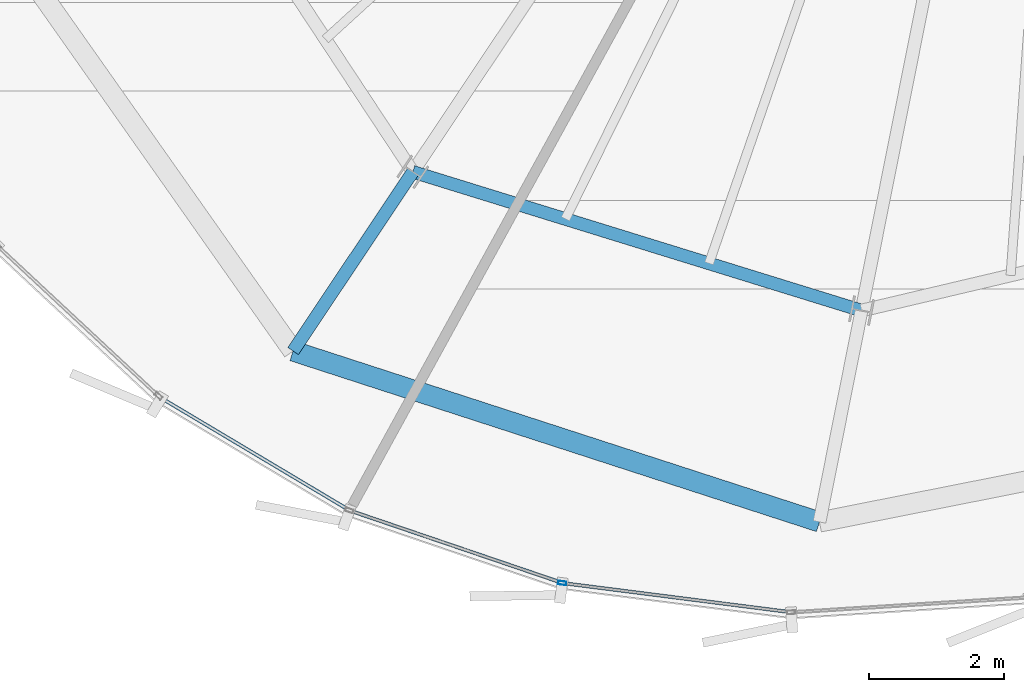
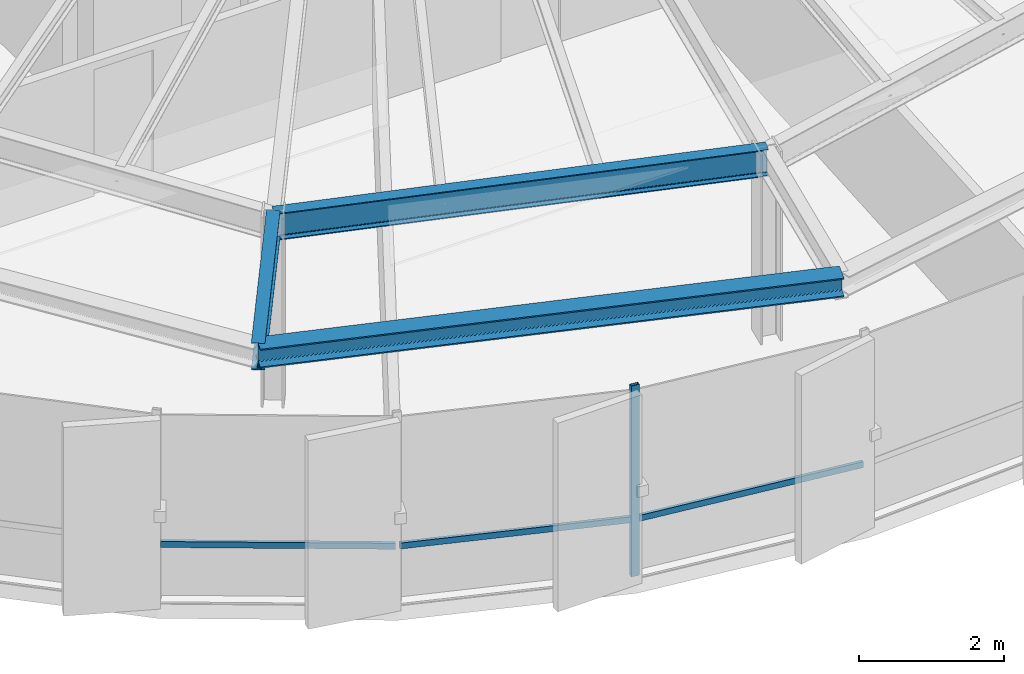
# One storey, part 3 of 35: 4 members, 3 beams, 1 element without a shape of its own.
"""IFC4 building model written with IfcOpenShell, lengths in metres."""

from ifc_helpers import new_model, si_unit, direction, frame, origin, origin_2d, place, context, subcontext, project, spatial, hollow_rectangle, i_section, extrude, source, transform, mapped, material, layer, layer_set, material_profile, profile_set, type_object, element, aggregate, save


model = new_model("IFC4")

# Units and contexts
model_context = context("Model", 3, precision=1e-05, world=origin(), true_north=direction((0.0, 1.0)))
body_context = subcontext(model_context, "Body", "Model", "MODEL_VIEW")
ifc_project = project(units=[si_unit("LENGTHUNIT", "METRE"), si_unit("AREAUNIT", "SQUARE_METRE"), si_unit("VOLUMEUNIT", "CUBIC_METRE"), si_unit("PLANEANGLEUNIT", "RADIAN"), si_unit("MASSUNIT", "GRAM", prefix="KILO"), si_unit("THERMODYNAMICTEMPERATUREUNIT", "KELVIN")], contexts=[model_context])

# Site, building, storey
site_placement = place(None, origin())
site = spatial("IfcSite", under=ifc_project, at=site_placement, CompositionType="ELEMENT")
building_placement = place(site_placement, origin())
building = spatial("IfcBuilding", under=site, at=building_placement, Name="Kethvar Cultural Tower", CompositionType="ELEMENT")
storey_placement = place(building_placement, frame((0.0, 0.0, 249.10009765625)))
storey = spatial("IfcBuildingStorey", under=building, at=storey_placement, Name="L65", CompositionType="ELEMENT", Elevation=249.10009765625)

# Beams
ifc_material_1 = material(Name="Steel S355J2", Category="steel")
ifc_material_profile_1 = material_profile(ifc_material_1, i_section(OverallWidth=0.18994140625, OverallDepth=0.449951171875, WebThickness=0.009521484375, FlangeThickness=0.0146484375, FilletRadius=0.02099609375, at=origin_2d()), Name="Steel S355J2 — IPE450")
ifc_profile_set_1 = profile_set([ifc_material_profile_1], Name="Steel S355J2 — IPE450")
beam_type_1 = type_object("IfcBeamType", Name="BM-IPE450", PredefinedType="BEAM", material=ifc_profile_set_1)
shared_shape_1 = source(origin(), body_context, "Body", "SweptSolid", [
    extrude(i_section(OverallWidth=0.18994140625, OverallDepth=0.449951171875, WebThickness=0.009521484375, FlangeThickness=0.0146484375, FilletRadius=0.02099609375, at=origin_2d()), origin(), (0.0, 0.0, 1.0), 3.199951171875),
])
beam_1_placement = place(storey_placement, frame((36.731201171875, 12.73095703125, 2.98291015625), z_axis=(-0.555580212716, -0.831462943996, 0.0), x_axis=(0.831462943996, -0.555580212716, 0.0)))
element("IfcBeam", 1, at=beam_1_placement, inside=storey, type_object=beam_type_1, Name="L65 Perimeter Cantilever Beam RC-11", PredefinedType="BEAM", context=body_context, shape_type="MappedRepresentation", body=[
    mapped(shared_shape_1, transform((0.0, 0.0, 0.0), scale=1.0)),
])
shared_shape_2 = source(origin(), body_context, "Body", "SweptSolid", [
    extrude(i_section(OverallWidth=0.18994140625, OverallDepth=0.449951171875, WebThickness=0.009521484375, FlangeThickness=0.0146484375, FilletRadius=0.02099609375, at=origin_2d()), origin(), (0.0, 0.0, 1.0), 6.97265625),
])
beam_2_placement = place(storey_placement, frame((36.731201171875, 12.73095703125, 2.98291015625), z_axis=(0.955381444404, -0.295374839295, 0.0), x_axis=(0.295374839295, 0.955381444404, 0.0)))
element("IfcBeam", 2, at=beam_2_placement, inside=storey, type_object=beam_type_1, Name="L65 Column Ring Tie Beam CR-11", PredefinedType="BEAM", context=body_context, shape_type="MappedRepresentation", body=[
    mapped(shared_shape_2, transform((0.0, 0.0, 0.0), scale=1.0)),
])
ifc_material_profile_2 = material_profile(ifc_material_1, i_section(OverallWidth=0.300048828125, OverallDepth=0.320068359375, WebThickness=0.011474609375, FlangeThickness=0.0205078125, FilletRadius=0.027099609375, at=origin_2d()), Name="Steel S355J2 — HEB320")
ifc_profile_set_2 = profile_set([ifc_material_profile_2], Name="Steel S355J2 — HEB320")
beam_type_2 = type_object("IfcBeamType", Name="BM-SP320", PredefinedType="SPANDREL", material=ifc_profile_set_2)
shared_shape_3 = source(origin(), body_context, "Body", "SweptSolid", [
    extrude(i_section(OverallWidth=0.300048828125, OverallDepth=0.320068359375, WebThickness=0.011474609375, FlangeThickness=0.0205078125, FilletRadius=0.027099609375, at=origin_2d()), origin(), (0.0, 0.0, 1.0), 8.216796875),
])
beam_3_placement = place(storey_placement, frame((34.953369140625, 10.0703125, 3.0478515625), z_axis=(0.951117661456, -0.30882874553, 0.0), x_axis=(0.30882874553, 0.951117661456, 0.0)))
element("IfcBeam", 3, at=beam_3_placement, inside=storey, type_object=beam_type_2, Name="L65 Perimeter Spandrel Beam SP-11", PredefinedType="SPANDREL", context=body_context, shape_type="MappedRepresentation", body=[
    mapped(shared_shape_3, transform((0.0, 0.0, 0.0), scale=1.0)),
])

# Curtain wall, members
ifc_material_2 = material(Name="Aluminium 6063-T6", Category="aluminium")
ifc_layer = layer(ifc_material_2, 0.179931640625, Name="Aluminium 6063-T6", Category="aluminium")
ifc_layer_set = layer_set([ifc_layer], Name="Aluminium 6063-T6 (180 mm)")
curtain_wall_type = type_object("IfcCurtainWallType", Name="CW-SYS-05-Z56", PredefinedType="NOTDEFINED", material=ifc_layer_set)
curtain_wall_placement = place(storey_placement, origin())
curtain_wall = element("IfcCurtainWall", 4, at=curtain_wall_placement, inside=storey, type_object=curtain_wall_type, Name="L65 Curtain Wall Run 04", PredefinedType="NOTDEFINED")
ifc_material_profile_3 = material_profile(ifc_material_2, hollow_rectangle(XDim=0.054931640625, YDim=0.1201171875, WallThickness=0.00390625, at=origin_2d()), Name="Aluminium 6063-T6 — RHS120x55x4")
ifc_profile_set_3 = profile_set([ifc_material_profile_3], Name="Aluminium 6063-T6 — RHS120x55x4")
member_type_1 = type_object("IfcMemberType", Name="CW-SYS-05-Z56-MUL", PredefinedType="MULLION", material=ifc_profile_set_3)
shared_shape_4 = source(origin(), body_context, "Body", "SweptSolid", [
    extrude(hollow_rectangle(XDim=0.054931640625, YDim=0.1201171875, WallThickness=0.00390625, at=origin_2d()), origin(), (0.0, 0.0, 1.0), 3.2099609375),
])
member_1_placement = place(storey_placement, frame((38.94921875, 6.626220703125, 0.0), z_axis=(0.0, 0.0, 1.0), x_axis=(0.12652792349, 0.991963045974, 0.0)))
member_1 = element("IfcMember", 5, at=member_1_placement, type_object=member_type_1, Name="CW-L65-R04 Mullion 3", PredefinedType="MULLION", context=body_context, shape_type="MappedRepresentation", body=[
    mapped(shared_shape_4, transform((0.0, 0.0, 0.0), scale=1.0)),
])
ifc_material_profile_4 = material_profile(ifc_material_2, hollow_rectangle(XDim=0.050048828125, YDim=0.10009765625, WallThickness=0.00390625, at=origin_2d()), Name="Aluminium 6063-T6 — RHS100x50x4")
ifc_profile_set_4 = profile_set([ifc_material_profile_4], Name="Aluminium 6063-T6 — RHS100x50x4")
member_type_2 = type_object("IfcMemberType", Name="CW-SYS-05-Z56-TRN", PredefinedType="USERDEFINED", material=ifc_profile_set_4)
shared_shape_5 = source(origin(), body_context, "Body", "SweptSolid", [
    extrude(hollow_rectangle(XDim=0.050048828125, YDim=0.10009765625, WallThickness=0.00390625, at=origin_2d()), origin(), (0.0, 0.0, 1.0), 3.23193359375),
])
member_2_placement = place(storey_placement, frame((32.998779296875, 9.37060546875, 0.949951171875), z_axis=(0.858922692335, -0.512105271006, 0.0), x_axis=(0.512105271006, 0.858922692335, 0.0)))
member_2 = element("IfcMember", 6, at=member_2_placement, type_object=member_type_2, Name="CW-L65-R04 Transom 1", ObjectType="TRANSOM", PredefinedType="USERDEFINED", context=body_context, shape_type="MappedRepresentation", body=[
    mapped(shared_shape_5, transform((0.0, 0.0, 0.0), scale=1.0)),
])
shared_shape_6 = source(origin(), body_context, "Body", "SweptSolid", [
    extrude(hollow_rectangle(XDim=0.050048828125, YDim=0.10009765625, WallThickness=0.00390625, at=origin_2d()), origin(), (0.0, 0.0, 1.0), 3.279052734375),
])
member_3_placement = place(storey_placement, frame((35.8271484375, 7.691162109375, 0.949951171875), z_axis=(0.946661503692, -0.322229727722, 0.0), x_axis=(0.322229727722, 0.946661503692, 0.0)))
member_3 = element("IfcMember", 7, at=member_3_placement, type_object=member_type_2, Name="CW-L65-R04 Transom 2", ObjectType="TRANSOM", PredefinedType="USERDEFINED", context=body_context, shape_type="MappedRepresentation", body=[
    mapped(shared_shape_6, transform((0.0, 0.0, 0.0), scale=1.0)),
])
shared_shape_7 = source(origin(), body_context, "Body", "SweptSolid", [
    extrude(hollow_rectangle(XDim=0.050048828125, YDim=0.10009765625, WallThickness=0.00390625, at=origin_2d()), origin(), (0.0, 0.0, 1.0), 3.366943359375),
])
member_4_placement = place(storey_placement, frame((38.988525390625, 6.62109375, 0.949951171875), z_axis=(0.991971470343, -0.126461859962, 0.0), x_axis=(0.126461859962, 0.991971470343, 0.0)))
member_4 = element("IfcMember", 8, at=member_4_placement, type_object=member_type_2, Name="CW-L65-R04 Transom 3", ObjectType="TRANSOM", PredefinedType="USERDEFINED", context=body_context, shape_type="MappedRepresentation", body=[
    mapped(shared_shape_7, transform((0.0, 0.0, 0.0), scale=1.0)),
])
aggregate(curtain_wall, [member_1, member_2, member_3, member_4])

save(model, "model.ifc")
